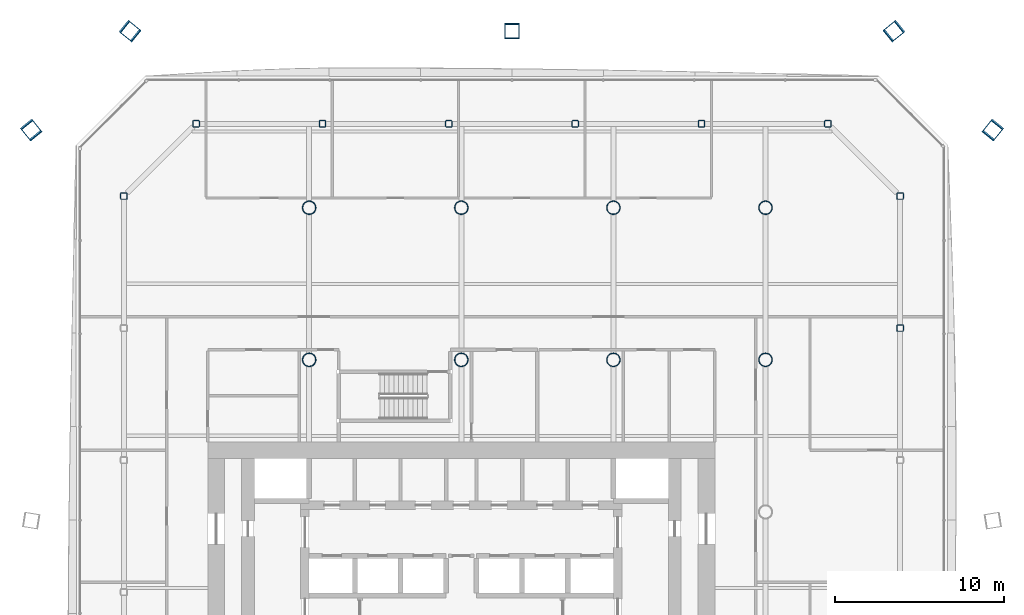
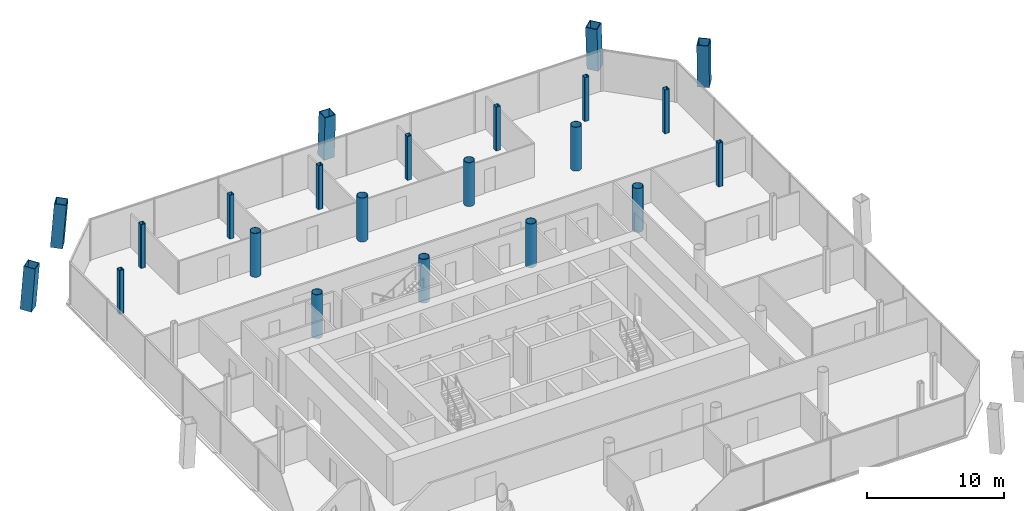
# One storey, part 3 of 20: 22 columns.
"""IFC4 building model written with IfcOpenShell, lengths in metres."""

from ifc_helpers import new_model, si_unit, direction, frame, origin, origin_2d, place, context, subcontext, project, spatial, hollow_rectangle, hollow_circle, extrude, material, material_profile, profile_set, type_object, element, save


model = new_model("IFC4")

# Units and contexts
model_context = context("Model", 3, precision=1e-05, world=origin(), true_north=direction((0.0, 1.0)))
body_context = subcontext(model_context, "Body", "Model", "MODEL_VIEW")
ifc_project = project(units=[si_unit("LENGTHUNIT", "METRE"), si_unit("AREAUNIT", "SQUARE_METRE"), si_unit("VOLUMEUNIT", "CUBIC_METRE"), si_unit("PLANEANGLEUNIT", "RADIAN"), si_unit("MASSUNIT", "GRAM", prefix="KILO")], contexts=[model_context])

# Site, building, storey
site_placement = place(None, origin())
site = spatial("IfcSite", under=ifc_project, at=site_placement, CompositionType="ELEMENT")
building_placement = place(site_placement, origin())
building = spatial("IfcBuilding", under=site, at=building_placement, Name="Tskaro Facet Tower", CompositionType="ELEMENT")
storey_placement = place(building_placement, frame((0.0, 0.0, 66.0)))
storey = spatial("IfcBuildingStorey", under=building, at=storey_placement, Name="L15", CompositionType="ELEMENT", Elevation=66.0)

# Columns
ifc_material_1 = material(Name="Steel S460M", Category="steel")
ifc_material_profile_1 = material_profile(ifc_material_1, hollow_rectangle(XDim=0.89990234375, YDim=0.89990234375, WallThickness=0.054931640625, at=origin_2d()), Name="BOX 900x900x55")
ifc_profile_set_1 = profile_set([ifc_material_profile_1], Name="Steel S460M")
column_type_1 = type_object("IfcColumnType", Name="BOX 900x900x55 mega column", PredefinedType="COLUMN", material=ifc_profile_set_1)
for number, where, z_axis, x_axis, name in (
    (1, (31.47607421875, 22.632080078125, 0.0), (-0.046572030062, -0.057809249111, 0.997240761668), (0.778731084135, -0.627357871236, 0.0), "BOX 900x900x55 MC06/2"),
    (2, (25.632080078125, 28.47607421875, 0.0), (-0.057809249111, -0.046572030062, 0.997240761668), (0.627357871236, -0.778731084135, 0.0), "BOX 900x900x55 MC07/2"),
):
    element("IfcColumn", number, at=place(storey_placement, frame(where, z_axis=z_axis, x_axis=x_axis)), inside=storey, type_object=column_type_1, Name=name, PredefinedType="COLUMN", context=body_context, shape_type="SweptSolid", body=[
        extrude(hollow_rectangle(XDim=0.89990234375, YDim=0.89990234375, WallThickness=0.054931640625, at=origin_2d()), origin(), (0.0, 0.0, 1.0), 3.91064453125),
    ])
column_placement = place(storey_placement, frame((3.0, 28.47607421875, 0.0), z_axis=(0.0, -0.046650045406, 0.998911293991), x_axis=(1.0, 0.0, 0.0)))
element("IfcColumn", 3, at=column_placement, inside=storey, type_object=column_type_1, Name="BOX 900x900x55 MC08/2", PredefinedType="COLUMN", context=body_context, shape_type="SweptSolid", body=[
    extrude(hollow_rectangle(XDim=0.89990234375, YDim=0.89990234375, WallThickness=0.054931640625, at=origin_2d()), origin(), (0.0, 0.0, 1.0), 3.904052734375),
])
for number, where, z_axis, x_axis, name in (
    (4, (-19.632080078125, 28.47607421875, 0.0), (0.057809249111, -0.046572030062, 0.997240761668), (0.627357871236, 0.778731084135, 0.0), "BOX 900x900x55 MC09/2"),
    (5, (-25.47607421875, 22.632080078125, 0.0), (0.046572030062, -0.057809249111, 0.997240761668), (0.778731084135, 0.627357871236, 0.0), "BOX 900x900x55 MC10/2"),
):
    element("IfcColumn", number, at=place(storey_placement, frame(where, z_axis=z_axis, x_axis=x_axis)), inside=storey, type_object=column_type_1, Name=name, PredefinedType="COLUMN", context=body_context, shape_type="SweptSolid", body=[
        extrude(hollow_rectangle(XDim=0.89990234375, YDim=0.89990234375, WallThickness=0.054931640625, at=origin_2d()), origin(), (0.0, 0.0, 1.0), 3.91064453125),
    ])
ifc_material_2 = material(Name="Steel S355J2H", Category="steel")
ifc_material_profile_2 = material_profile(ifc_material_2, hollow_circle(Radius=0.406494140625, WallThickness=0.035888671875, at=origin_2d()), Name="CHS 812.8x36")
ifc_profile_set_2 = profile_set([ifc_material_profile_2], Name="Steel S355J2H")
column_type_2 = type_object("IfcColumnType", Name="CHS 812.8x36 interior column", PredefinedType="COLUMN", material=ifc_profile_set_2)
for number, where, z_axis, x_axis, name in (
    (6, (-9.0, 9.0, 0.0), (0.0, 0.0, 1.0), (1.0, 0.0, 0.0), "CHS 812.8x36 C3E/2"),
    (7, (-9.0, 18.0, 0.0), (0.0, 0.0, 1.0), (1.0, 0.0, 0.0), "CHS 812.8x36 C3F/2"),
    (8, (0.0, 9.0, 0.0), (0.0, 0.0, 1.0), (1.0, 0.0, 0.0), "CHS 812.8x36 C4E/2"),
    (9, (0.0, 18.0, 0.0), (0.0, 0.0, 1.0), (1.0, 0.0, 0.0), "CHS 812.8x36 C4F/2"),
    (10, (9.0, 9.0, 0.0), (0.0, 0.0, 1.0), (1.0, 0.0, 0.0), "CHS 812.8x36 C5E/2"),
    (11, (9.0, 18.0, 0.0), (0.0, 0.0, 1.0), (1.0, 0.0, 0.0), "CHS 812.8x36 C5F/2"),
    (12, (18.0, 9.0, 0.0), (0.0, 0.0, 1.0), (1.0, 0.0, 0.0), "CHS 812.8x36 C6E/2"),
    (13, (18.0, 18.0, 0.0), (0.0, 0.0, 1.0), (1.0, 0.0, 0.0), "CHS 812.8x36 C6F/2"),
):
    element("IfcColumn", number, at=place(storey_placement, frame(where, z_axis=z_axis, x_axis=x_axis)), inside=storey, type_object=column_type_2, Name=name, PredefinedType="COLUMN", context=body_context, shape_type="SweptSolid", body=[
        extrude(hollow_circle(Radius=0.406494140625, WallThickness=0.035888671875, at=origin_2d()), origin(), (0.0, 0.0, 1.0), 3.89990234375),
    ])
ifc_material_profile_3 = material_profile(ifc_material_2, hollow_rectangle(XDim=0.39990234375, YDim=0.39990234375, WallThickness=0.02490234375, InnerFilletRadius=0.03759765625, OuterFilletRadius=0.0625, at=origin_2d()), Name="SHS 400x400x25")
ifc_profile_set_3 = profile_set([ifc_material_profile_3], Name="Steel S355J2H")
column_type_3 = type_object("IfcColumnType", Name="SHS 400x400x25 ring column", PredefinedType="COLUMN", material=ifc_profile_set_3)
for number, where, z_axis, x_axis, name in (
    (14, (25.965087890625, 10.87890625, 0.0), (0.0, 0.0, 1.0), (1.0, 0.0, 0.0), "SHS 400x400x25 RE-5/2"),
    (15, (25.965087890625, 18.68994140625, 0.0), (0.0, 0.0, 1.0), (1.0, 0.0, 0.0), "SHS 400x400x25 RNE-1/2"),
    (16, (21.68994140625, 22.965087890625, 0.0), (0.0, 0.0, 1.0), (1.0, 0.0, 0.0), "SHS 400x400x25 RN-1/2"),
    (17, (14.214111328125, 22.965087890625, 0.0), (0.0, 0.0, 1.0), (1.0, 0.0, 0.0), "SHS 400x400x25 RN-2/2"),
    (18, (6.738037109375, 22.965087890625, 0.0), (0.0, 0.0, 1.0), (1.0, 0.0, 0.0), "SHS 400x400x25 RN-3/2"),
    (19, (-0.738037109375, 22.965087890625, 0.0), (0.0, 0.0, 1.0), (1.0, 0.0, 0.0), "SHS 400x400x25 RN-4/2"),
    (20, (-8.214111328125, 22.965087890625, 0.0), (0.0, 0.0, 1.0), (1.0, 0.0, 0.0), "SHS 400x400x25 RN-5/2"),
    (21, (-15.68994140625, 22.965087890625, 0.0), (0.0, 0.0, 1.0), (1.0, 0.0, 0.0), "SHS 400x400x25 RNW-1/2"),
    (22, (-19.965087890625, 18.68994140625, 0.0), (0.0, 0.0, 1.0), (1.0, 0.0, 0.0), "SHS 400x400x25 RW-1/2"),
):
    element("IfcColumn", number, at=place(storey_placement, frame(where, z_axis=z_axis, x_axis=x_axis)), inside=storey, type_object=column_type_3, Name=name, PredefinedType="COLUMN", context=body_context, shape_type="SweptSolid", body=[
        extrude(hollow_rectangle(XDim=0.39990234375, YDim=0.39990234375, WallThickness=0.02490234375, InnerFilletRadius=0.03759765625, OuterFilletRadius=0.0625, at=origin_2d()), origin(), (0.0, 0.0, 1.0), 3.89990234375),
    ])

save(model, "model.ifc")
